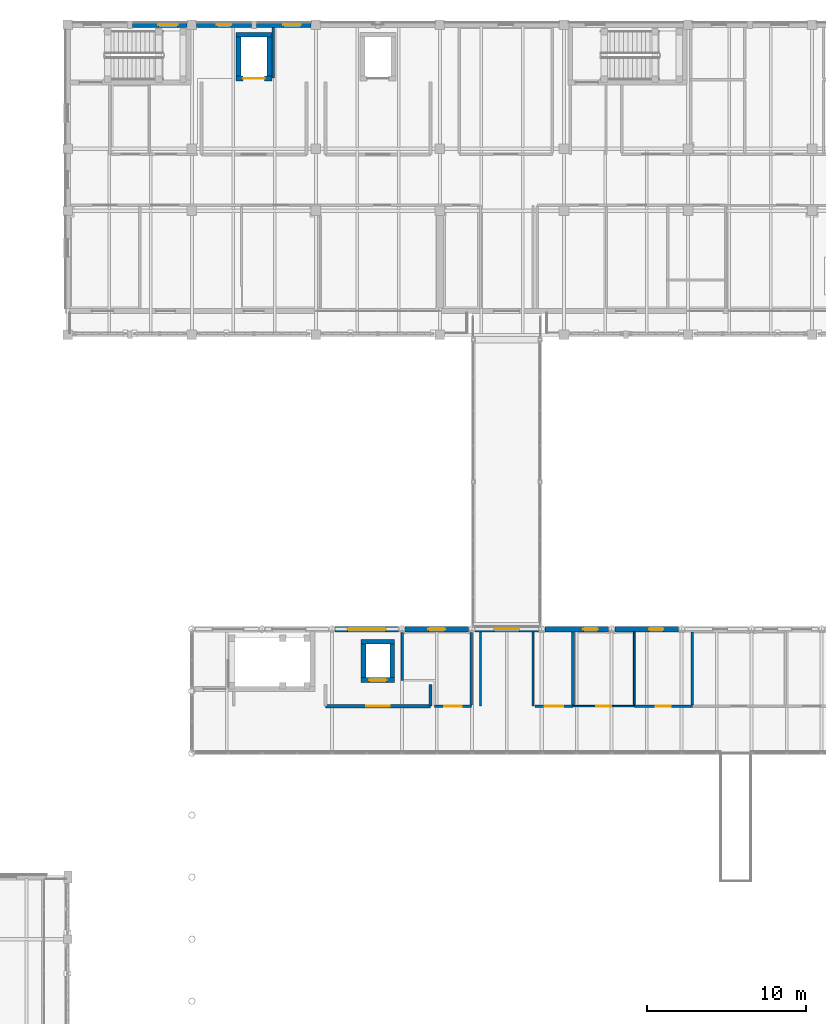
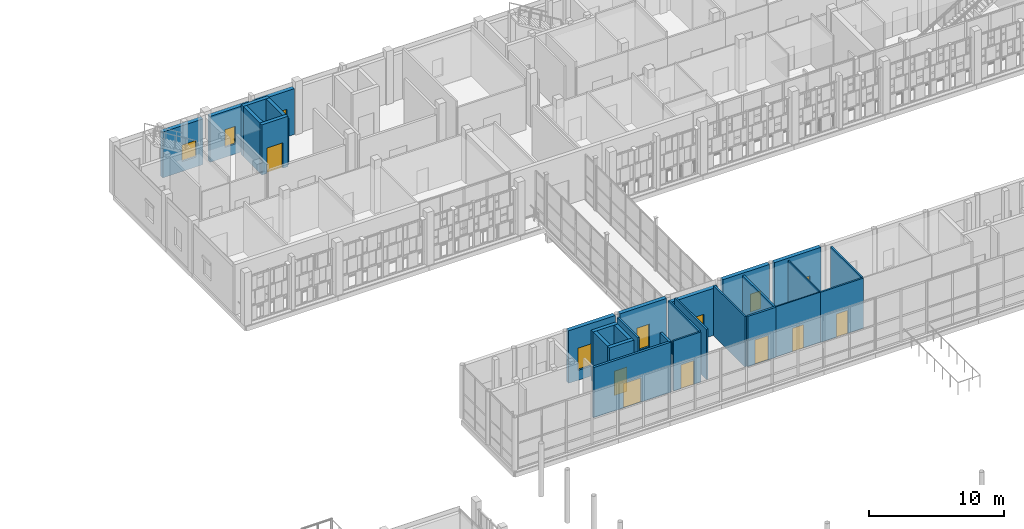
# One storey, part 107 of 138: 30 walls, 8 doors, 7 windows, 15 openings.
"""IFC4 building model written with IfcOpenShell, lengths in metres."""

from ifc_helpers import new_model, si_unit, direction, frame, frame_2d, origin, place, context, subcontext, project, spatial, rectangle, extrude, material, layer, layer_set, type_object, element, fill, save


model = new_model("IFC4")

# Units and contexts
model_context = context("Model", 3, precision=1e-05, world=origin(), true_north=direction((0.0, 1.0)))
body_context = subcontext(model_context, "Body", "Model", "MODEL_VIEW")
ifc_project = project(units=[si_unit("LENGTHUNIT", "METRE"), si_unit("AREAUNIT", "SQUARE_METRE"), si_unit("VOLUMEUNIT", "CUBIC_METRE"), si_unit("PLANEANGLEUNIT", "RADIAN"), si_unit("MASSUNIT", "GRAM", prefix="KILO")], contexts=[model_context])

# Site, building, storey
site_placement = place(None, origin())
site = spatial("IfcSite", under=ifc_project, at=site_placement, CompositionType="ELEMENT")
building_placement = place(site_placement, origin())
building = spatial("IfcBuilding", under=site, at=building_placement, Name="Celorna Specialist Clinic", CompositionType="ELEMENT")
storey_placement = place(building_placement, frame((0.0, 0.0, 4.800048828125)))
storey = spatial("IfcBuildingStorey", under=building, at=storey_placement, Name="L01", CompositionType="ELEMENT", Elevation=4.800048828125)

# Wall, opening, window
ifc_material_1 = material(Name="Pero Pinheiro Lioz limestone insulated masonry", Category="masonry")
ifc_layer_1 = layer(ifc_material_1, 0.340087890625, Name="Pero Pinheiro Lioz limestone insulated masonry")
ifc_layer_set_1 = layer_set([ifc_layer_1], Name="Pero Pinheiro Lioz limestone insulated masonry")
wall_type_1 = type_object("IfcWallType", Name="WT-07", PredefinedType="STANDARD", material=ifc_layer_set_1)
wall_1_placement = place(storey_placement, frame((63.603271484375, 78.0, 0.0), z_axis=(0.0, 0.0, 1.0), x_axis=(1.0, 0.0, 0.0)))
wall_1 = element("IfcWall", 1, at=wall_1_placement, inside=storey, type_object=wall_type_1, Name="External facade wall WT-07 #93", PredefinedType="STANDARD", context=body_context, shape_type="SweptSolid", body=[
    extrude(rectangle(XDim=3.993408203125, YDim=0.340087890625, at=frame_2d((1.99658203125, 0.0))), origin(), (0.0, 0.0, 1.0), 4.75),
])
opening_1_placement = place(wall_1_placement, frame((0.796875, 0.0, 0.89990234375)))
opening_1 = element("IfcOpeningElement", 2, at=opening_1_placement, cuts=wall_1, Name="Opening WN-19", PredefinedType="OPENING", context=body_context, shape_type="SweptSolid", body=[
    extrude(rectangle(XDim=2.39990234375, YDim=2.0, at=frame_2d((1.199951171875, 1.0))), frame((0.0, 0.179931640625, 0.0), z_axis=(0.0, -1.0, 0.0), x_axis=(1.0, 0.0, 0.0)), (0.0, 0.0, 1.0), 0.360107421875),
])
ifc_material_2 = material(Name="Rehabilitation gym daylight window")
window_type_1 = type_object("IfcWindowType", Name="WN-19", PartitioningType="SINGLE_PANEL", PredefinedType="WINDOW", material=ifc_material_2)
window_1_placement = place(opening_1_placement, origin())
window_1 = element("IfcWindow", 3, at=window_1_placement, inside=storey, type_object=window_type_1, Name="Facade window WN-19 #11", OverallHeight=2.0, OverallWidth=2.39990234375, PartitioningType="SINGLE_PANEL", PredefinedType="WINDOW", context=body_context, shape_type="SweptSolid", body=[
    extrude(rectangle(XDim=2.39990234375, YDim=2.0, at=frame_2d((1.199951171875, 1.0))), frame((0.0, 0.030029296875, 0.0), z_axis=(0.0, -1.0, 0.0), x_axis=(1.0, 0.0, 0.0)), (0.0, 0.0, 1.0), 0.06005859375),
])
fill(opening_1, window_1)

wall_2_placement = place(storey_placement, frame((68.003173828125, 78.0, 0.0), z_axis=(0.0, 0.0, 1.0), x_axis=(1.0, 0.0, 0.0)))
wall_2 = element("IfcWall", 4, at=wall_2_placement, inside=storey, type_object=wall_type_1, Name="External facade wall WT-07 #94", PredefinedType="STANDARD", context=body_context, shape_type="SweptSolid", body=[
    extrude(rectangle(XDim=3.99365234375, YDim=0.340087890625, at=frame_2d((1.996826171875, 0.0))), origin(), (0.0, 0.0, 1.0), 4.75),
])
opening_2_placement = place(wall_2_placement, frame((1.4716796875, 0.0, 0.89990234375)))
opening_2 = element("IfcOpeningElement", 5, at=opening_2_placement, cuts=wall_2, Name="Opening WN-22", PredefinedType="OPENING", context=body_context, shape_type="SweptSolid", body=[
    extrude(rectangle(XDim=1.050048828125, YDim=2.050048828125, at=frame_2d((0.52490234375, 1.02490234375))), frame((0.0, 0.179931640625, 0.0), z_axis=(0.0, -1.0, 0.0), x_axis=(1.0, 0.0, 0.0)), (0.0, 0.0, 1.0), 0.360107421875),
])
ifc_material_3 = material(Name="Thermally broken aluminium triple-glazed window", Category="aluminium")
window_type_2 = type_object("IfcWindowType", Name="WN-22", PartitioningType="SINGLE_PANEL", PredefinedType="WINDOW", material=ifc_material_3)
window_2_placement = place(opening_2_placement, origin())
window_2 = element("IfcWindow", 6, at=window_2_placement, inside=storey, type_object=window_type_2, Name="Facade window WN-22 #12", OverallHeight=2.050048828125, OverallWidth=1.050048828125, PartitioningType="SINGLE_PANEL", PredefinedType="WINDOW", context=body_context, shape_type="SweptSolid", body=[
    extrude(rectangle(XDim=1.050048828125, YDim=2.050048828125, at=frame_2d((0.52490234375, 1.02490234375))), frame((0.0, 0.030029296875, 0.0), z_axis=(0.0, -1.0, 0.0), x_axis=(1.0, 0.0, 0.0)), (0.0, 0.0, 1.0), 0.06005859375),
])
fill(opening_2, window_2)

# Wall, opening, door
wall_3_placement = place(storey_placement, frame((72.4033203125, 78.0, 0.0), z_axis=(0.0, 0.0, 1.0), x_axis=(1.0, 0.0, 0.0)))
wall_3 = element("IfcWall", 7, at=wall_3_placement, inside=storey, type_object=wall_type_1, Name="External facade wall WT-07 #95", PredefinedType="STANDARD", context=body_context, shape_type="SweptSolid", body=[
    extrude(rectangle(XDim=3.993408203125, YDim=0.340087890625, at=frame_2d((1.99658203125, 0.0))), origin(), (0.0, 0.0, 1.0), 4.260009765625),
])
opening_3_placement = place(wall_3_placement, frame((1.19677734375, 0.0, 0.0)))
opening_3 = element("IfcOpeningElement", 8, at=opening_3_placement, cuts=wall_3, Name="Opening DR-12", PredefinedType="OPENING", context=body_context, shape_type="SweptSolid", body=[
    extrude(rectangle(XDim=1.60009765625, YDim=2.199951171875, at=frame_2d((0.800048828125, 1.10009765625))), frame((0.0, 0.179931640625, 0.0), z_axis=(0.0, -1.0, 0.0), x_axis=(1.0, 0.0, 0.0)), (0.0, 0.0, 1.0), 0.360107421875),
])
ifc_material_4 = material(Name="Corridor cross-compartment pair door")
door_type_1 = type_object("IfcDoorType", Name="DR-12", OperationType="DOUBLE_DOOR_SINGLE_SWING", PredefinedType="DOOR", material=ifc_material_4)
door_1_placement = place(opening_3_placement, origin())
door_1 = element("IfcDoor", 9, at=door_1_placement, inside=storey, type_object=door_type_1, Name="Bridge BR-04 south/west portal door L01", OperationType="DOUBLE_DOOR_SINGLE_SWING", OverallHeight=2.199951171875, OverallWidth=1.60009765625, PredefinedType="DOOR", context=body_context, shape_type="SweptSolid", body=[
    extrude(rectangle(XDim=1.60009765625, YDim=2.199951171875, at=frame_2d((0.800048828125, 1.10009765625))), frame((0.0, 0.02490234375, 0.0), z_axis=(0.0, -1.0, 0.0), x_axis=(1.0, 0.0, 0.0)), (0.0, 0.0, 1.0), 0.050048828125),
])
fill(opening_3, door_1)

# Wall, opening, window
wall_4_placement = place(storey_placement, frame((76.80322265625, 78.0, 0.0), z_axis=(0.0, 0.0, 1.0), x_axis=(1.0, 0.0, 0.0)))
wall_4 = element("IfcWall", 10, at=wall_4_placement, inside=storey, type_object=wall_type_1, Name="External facade wall WT-07 #96", PredefinedType="STANDARD", context=body_context, shape_type="SweptSolid", body=[
    extrude(rectangle(XDim=3.99365234375, YDim=0.340087890625, at=frame_2d((1.996826171875, 0.0))), origin(), (0.0, 0.0, 1.0), 4.75),
])
opening_4_placement = place(wall_4_placement, frame((2.420166015625, 0.0, 0.89990234375)))
opening_4 = element("IfcOpeningElement", 11, at=opening_4_placement, cuts=wall_4, Name="Opening WN-01", PredefinedType="OPENING", context=body_context, shape_type="SweptSolid", body=[
    extrude(rectangle(XDim=0.89990234375, YDim=1.60009765625, at=frame_2d((0.449951171875, 0.800048828125))), frame((0.0, 0.179931640625, 0.0), z_axis=(0.0, -1.0, 0.0), x_axis=(1.0, 0.0, 0.0)), (0.0, 0.0, 1.0), 0.360107421875),
])
window_type_3 = type_object("IfcWindowType", Name="WN-01", PartitioningType="SINGLE_PANEL", PredefinedType="WINDOW", material=ifc_material_3)
window_3_placement = place(opening_4_placement, origin())
window_3 = element("IfcWindow", 12, at=window_3_placement, inside=storey, type_object=window_type_3, Name="Facade window WN-01 #13", OverallHeight=1.60009765625, OverallWidth=0.89990234375, PartitioningType="SINGLE_PANEL", PredefinedType="WINDOW", context=body_context, shape_type="SweptSolid", body=[
    extrude(rectangle(XDim=0.89990234375, YDim=1.60009765625, at=frame_2d((0.449951171875, 0.800048828125))), frame((0.0, 0.030029296875, 0.0), z_axis=(0.0, -1.0, 0.0), x_axis=(1.0, 0.0, 0.0)), (0.0, 0.0, 1.0), 0.06005859375),
])
fill(opening_4, window_3)

wall_5_placement = place(storey_placement, frame((81.203125, 78.0, 0.0), z_axis=(0.0, 0.0, 1.0), x_axis=(1.0, 0.0, 0.0)))
wall_5 = element("IfcWall", 13, at=wall_5_placement, inside=storey, type_object=wall_type_1, Name="External facade wall WT-07 #97", PredefinedType="STANDARD", context=body_context, shape_type="SweptSolid", body=[
    extrude(rectangle(XDim=3.99365234375, YDim=0.340087890625, at=frame_2d((1.996826171875, 0.0))), origin(), (0.0, 0.0, 1.0), 4.75),
])
opening_5_placement = place(wall_5_placement, frame((2.145263671875, 0.0, 0.89990234375)))
opening_5 = element("IfcOpeningElement", 14, at=opening_5_placement, cuts=wall_5, Name="Opening WN-01", PredefinedType="OPENING", context=body_context, shape_type="SweptSolid", body=[
    extrude(rectangle(XDim=0.89990234375, YDim=1.60009765625, at=frame_2d((0.449951171875, 0.800048828125))), frame((0.0, 0.179931640625, 0.0), z_axis=(0.0, -1.0, 0.0), x_axis=(1.0, 0.0, 0.0)), (0.0, 0.0, 1.0), 0.360107421875),
])
window_4_placement = place(opening_5_placement, origin())
window_4 = element("IfcWindow", 15, at=window_4_placement, inside=storey, type_object=window_type_3, Name="Facade window WN-01 #14", OverallHeight=1.60009765625, OverallWidth=0.89990234375, PartitioningType="SINGLE_PANEL", PredefinedType="WINDOW", context=body_context, shape_type="SweptSolid", body=[
    extrude(rectangle(XDim=0.89990234375, YDim=1.60009765625, at=frame_2d((0.449951171875, 0.800048828125))), frame((0.0, 0.030029296875, 0.0), z_axis=(0.0, -1.0, 0.0), x_axis=(1.0, 0.0, 0.0)), (0.0, 0.0, 1.0), 0.06005859375),
])
fill(opening_5, window_4)

wall_6_placement = place(storey_placement, frame((50.85009765625, 116.0, 0.0), z_axis=(0.0, 0.0, 1.0), x_axis=(1.0, 0.0, 0.0)))
wall_6 = element("IfcWall", 16, at=wall_6_placement, inside=storey, type_object=wall_type_1, Name="External facade wall WT-07 #203", PredefinedType="STANDARD", context=body_context, shape_type="SweptSolid", body=[
    extrude(rectangle(XDim=3.449951171875, YDim=0.340087890625, at=frame_2d((1.72509765625, 0.0))), origin(), (0.0, 0.0, 1.0), 4.139892578125),
])
opening_6_placement = place(wall_6_placement, frame((1.64990234375, 0.0, 0.89990234375)))
opening_6 = element("IfcOpeningElement", 17, at=opening_6_placement, cuts=wall_6, Name="Opening WN-04", PredefinedType="OPENING", context=body_context, shape_type="SweptSolid", body=[
    extrude(rectangle(XDim=1.199951171875, YDim=1.5, at=frame_2d((0.60009765625, 0.75))), frame((0.0, 0.179931640625, 0.0), z_axis=(0.0, -1.0, 0.0), x_axis=(1.0, 0.0, 0.0)), (0.0, 0.0, 1.0), 0.360107421875),
])
window_type_4 = type_object("IfcWindowType", Name="WN-04", PartitioningType="SINGLE_PANEL", PredefinedType="WINDOW", material=ifc_material_3)
window_5_placement = place(opening_6_placement, origin())
window_5 = element("IfcWindow", 18, at=window_5_placement, inside=storey, type_object=window_type_4, Name="Facade window WN-04 #85", OverallHeight=1.5, OverallWidth=1.199951171875, PartitioningType="SINGLE_PANEL", PredefinedType="WINDOW", context=body_context, shape_type="SweptSolid", body=[
    extrude(rectangle(XDim=1.199951171875, YDim=1.5, at=frame_2d((0.60009765625, 0.75))), frame((0.0, 0.030029296875, 0.0), z_axis=(0.0, -1.0, 0.0), x_axis=(1.0, 0.0, 0.0)), (0.0, 0.0, 1.0), 0.06005859375),
])
fill(opening_6, window_5)

wall_7_placement = place(storey_placement, frame((54.89990234375, 116.0, 0.0), z_axis=(0.0, 0.0, 1.0), x_axis=(1.0, 0.0, 0.0)))
wall_7 = element("IfcWall", 19, at=wall_7_placement, inside=storey, type_object=wall_type_1, Name="External facade wall WT-07 #204", PredefinedType="STANDARD", context=body_context, shape_type="SweptSolid", body=[
    extrude(rectangle(XDim=3.4501953125, YDim=0.340087890625, at=frame_2d((1.72509765625, 0.0))), origin(), (0.0, 0.0, 1.0), 4.139892578125),
])
opening_7_placement = place(wall_7_placement, frame((1.27490234375, 0.0, 0.89990234375)))
opening_7 = element("IfcOpeningElement", 20, at=opening_7_placement, cuts=wall_7, Name="Opening WN-01", PredefinedType="OPENING", context=body_context, shape_type="SweptSolid", body=[
    extrude(rectangle(XDim=0.89990234375, YDim=1.60009765625, at=frame_2d((0.449951171875, 0.800048828125))), frame((0.0, 0.179931640625, 0.0), z_axis=(0.0, -1.0, 0.0), x_axis=(1.0, 0.0, 0.0)), (0.0, 0.0, 1.0), 0.360107421875),
])
window_6_placement = place(opening_7_placement, origin())
window_6 = element("IfcWindow", 21, at=window_6_placement, inside=storey, type_object=window_type_3, Name="Facade window WN-01 #86", OverallHeight=1.60009765625, OverallWidth=0.89990234375, PartitioningType="SINGLE_PANEL", PredefinedType="WINDOW", context=body_context, shape_type="SweptSolid", body=[
    extrude(rectangle(XDim=0.89990234375, YDim=1.60009765625, at=frame_2d((0.449951171875, 0.800048828125))), frame((0.0, 0.030029296875, 0.0), z_axis=(0.0, -1.0, 0.0), x_axis=(1.0, 0.0, 0.0)), (0.0, 0.0, 1.0), 0.06005859375),
])
fill(opening_7, window_6)

wall_8_placement = place(storey_placement, frame((58.64990234375, 116.0, 0.0), z_axis=(0.0, 0.0, 1.0), x_axis=(1.0, 0.0, 0.0)))
wall_8 = element("IfcWall", 22, at=wall_8_placement, inside=storey, type_object=wall_type_1, Name="External facade wall WT-07 #205", PredefinedType="STANDARD", context=body_context, shape_type="SweptSolid", body=[
    extrude(rectangle(XDim=3.4501953125, YDim=0.340087890625, at=frame_2d((1.72509765625, 0.0))), origin(), (0.0, 0.0, 1.0), 4.139892578125),
])
opening_8_placement = place(wall_8_placement, frame((1.699951171875, 0.0, 0.89990234375)))
opening_8 = element("IfcOpeningElement", 23, at=opening_8_placement, cuts=wall_8, Name="Opening WN-03", PredefinedType="OPENING", context=body_context, shape_type="SweptSolid", body=[
    extrude(rectangle(XDim=1.10009765625, YDim=1.60009765625, at=frame_2d((0.550048828125, 0.800048828125))), frame((0.0, 0.179931640625, 0.0), z_axis=(0.0, -1.0, 0.0), x_axis=(1.0, 0.0, 0.0)), (0.0, 0.0, 1.0), 0.360107421875),
])
window_type_5 = type_object("IfcWindowType", Name="WN-03", PartitioningType="SINGLE_PANEL", PredefinedType="WINDOW", material=ifc_material_3)
window_7_placement = place(opening_8_placement, origin())
window_7 = element("IfcWindow", 24, at=window_7_placement, inside=storey, type_object=window_type_5, Name="Facade window WN-03 #87", OverallHeight=1.60009765625, OverallWidth=1.10009765625, PartitioningType="SINGLE_PANEL", PredefinedType="WINDOW", context=body_context, shape_type="SweptSolid", body=[
    extrude(rectangle(XDim=1.10009765625, YDim=1.60009765625, at=frame_2d((0.550048828125, 0.800048828125))), frame((0.0, 0.030029296875, 0.0), z_axis=(0.0, -1.0, 0.0), x_axis=(1.0, 0.0, 0.0)), (0.0, 0.0, 1.0), 0.06005859375),
])
fill(opening_8, window_7)

# Wall, opening, door
ifc_material_5 = material(Name="Concrete C35/45", Category="concrete")
ifc_layer_2 = layer(ifc_material_5, 0.300048828125, Name="Concrete C35/45")
ifc_layer_set_2 = layer_set([ifc_layer_2], Name="Concrete C35/45")
wall_type_2 = type_object("IfcWallType", Name="WT-08", PredefinedType="SHEAR", material=ifc_layer_set_2)
wall_9_placement = place(storey_placement, frame((57.375, 112.625, 0.0), z_axis=(0.0, 0.0, 1.0), x_axis=(1.0, 0.0, 0.0)))
wall_9 = element("IfcWall", 25, at=wall_9_placement, inside=storey, type_object=wall_type_2, Name="Lift LF-01 RC shaft wall L01", PredefinedType="SHEAR", context=body_context, shape_type="SweptSolid", body=[
    extrude(rectangle(XDim=2.25, YDim=0.300048828125, at=frame_2d((1.125, 0.0))), origin(), (0.0, 0.0, 1.0), 4.5400390625),
])
opening_9_placement = place(wall_9_placement, frame((0.449951171875, 0.0, 0.0)))
opening_9 = element("IfcOpeningElement", 26, at=opening_9_placement, cuts=wall_9, Name="Opening LD-02", PredefinedType="OPENING", context=body_context, shape_type="SweptSolid", body=[
    extrude(rectangle(XDim=1.35009765625, YDim=2.300048828125, at=frame_2d((0.675048828125, 1.14990234375))), frame((0.0, 0.159912109375, 0.0), z_axis=(0.0, -1.0, 0.0), x_axis=(1.0, 0.0, 0.0)), (0.0, 0.0, 1.0), 0.320068359375),
])
ifc_material_6 = material(Name="Firefighting stretcher lift landing sliding door")
door_type_2 = type_object("IfcDoorType", Name="LD-02", OperationType="DOUBLE_DOOR_SLIDING", PredefinedType="DOOR", material=ifc_material_6)
door_2_placement = place(opening_9_placement, origin())
door_2 = element("IfcDoor", 27, at=door_2_placement, inside=storey, type_object=door_type_2, Name="Lift LF-01 sliding landing door L01", OperationType="DOUBLE_DOOR_SLIDING", OverallHeight=2.300048828125, OverallWidth=1.35009765625, PredefinedType="DOOR", context=body_context, shape_type="SweptSolid", body=[
    extrude(rectangle(XDim=1.35009765625, YDim=2.300048828125, at=frame_2d((0.675048828125, 1.14990234375))), frame((0.0, 0.02490234375, 0.0), z_axis=(0.0, -1.0, 0.0), x_axis=(1.0, 0.0, 0.0)), (0.0, 0.0, 1.0), 0.050048828125),
])
fill(opening_9, door_2)

# Walls
wall_10_placement = place(storey_placement, frame((59.625, 115.375, 0.0), z_axis=(0.0, 0.0, 1.0), x_axis=(-1.0, 0.0, 0.0)))
element("IfcWall", 28, at=wall_10_placement, inside=storey, type_object=wall_type_2, Name="Lift LF-01 RC shaft wall L01", PredefinedType="SHEAR", context=body_context, shape_type="SweptSolid", body=[
    extrude(rectangle(XDim=2.25, YDim=0.300048828125, at=frame_2d((1.125, 0.0))), origin(), (0.0, 0.0, 1.0), 4.5400390625),
])
for number, where, z_axis, x_axis, name in (
    (29, (57.52490234375, 115.22509765625, 0.0), (0.0, 0.0, 1.0), (0.0, -1.0, 0.0), "Lift LF-01 RC shaft wall L01"),
    (30, (59.47509765625, 112.77490234375, 0.0), (0.0, 0.0, 1.0), (0.0, 1.0, 0.0), "Lift LF-01 RC shaft wall L01"),
):
    element("IfcWall", number, at=place(storey_placement, frame(where, z_axis=z_axis, x_axis=x_axis)), inside=storey, type_object=wall_type_2, Name=name, PredefinedType="SHEAR", context=body_context, shape_type="SweptSolid", body=[
        extrude(rectangle(XDim=2.4501953125, YDim=0.300048828125, at=frame_2d((1.22509765625, 0.0))), origin(), (0.0, 0.0, 1.0), 4.5400390625),
    ])

# Wall, opening, door
wall_11_placement = place(storey_placement, frame((65.25, 74.800048828125, 0.0), z_axis=(0.0, 0.0, 1.0), x_axis=(1.0, 0.0, 0.0)))
wall_11 = element("IfcWall", 31, at=wall_11_placement, inside=storey, type_object=wall_type_2, Name="Lift LF-08 RC shaft wall L01", PredefinedType="SHEAR", context=body_context, shape_type="SweptSolid", body=[
    extrude(rectangle(XDim=2.10009765625, YDim=0.300048828125, at=frame_2d((1.050048828125, 0.0))), origin(), (0.0, 0.0, 1.0), 4.5400390625),
])
opening_10_placement = place(wall_11_placement, frame((0.5, 0.0, 0.0)))
opening_10 = element("IfcOpeningElement", 32, at=opening_10_placement, cuts=wall_11, Name="Opening LD-01", PredefinedType="OPENING", context=body_context, shape_type="SweptSolid", body=[
    extrude(rectangle(XDim=1.10009765625, YDim=2.199951171875, at=frame_2d((0.550048828125, 1.10009765625))), frame((0.0, 0.159912109375, 0.0), z_axis=(0.0, -1.0, 0.0), x_axis=(1.0, 0.0, 0.0)), (0.0, 0.0, 1.0), 0.320068359375),
])
ifc_material_7 = material(Name="Stainless steel lift landing sliding door", Category="steel")
door_type_3 = type_object("IfcDoorType", Name="LD-01", OperationType="DOUBLE_DOOR_SLIDING", PredefinedType="DOOR", material=ifc_material_7)
door_3_placement = place(opening_10_placement, origin())
door_3 = element("IfcDoor", 33, at=door_3_placement, inside=storey, type_object=door_type_3, Name="Lift LF-08 sliding landing door L01", OperationType="DOUBLE_DOOR_SLIDING", OverallHeight=2.199951171875, OverallWidth=1.10009765625, PredefinedType="DOOR", context=body_context, shape_type="SweptSolid", body=[
    extrude(rectangle(XDim=1.10009765625, YDim=2.199951171875, at=frame_2d((0.550048828125, 1.10009765625))), frame((0.0, 0.02490234375, 0.0), z_axis=(0.0, -1.0, 0.0), x_axis=(1.0, 0.0, 0.0)), (0.0, 0.0, 1.0), 0.050048828125),
])
fill(opening_10, door_3)

# Walls
for number, where, z_axis, x_axis, name in (
    (34, (67.35009765625, 77.199951171875, 0.0), (0.0, 0.0, 1.0), (-1.0, 0.0, 0.0), "Lift LF-08 RC shaft wall L01"),
    (35, (65.39990234375, 77.050048828125, 0.0), (0.0, 0.0, 1.0), (0.0, -1.0, 0.0), "Lift LF-08 RC shaft wall L01"),
    (36, (67.199951171875, 74.949951171875, 0.0), (0.0, 0.0, 1.0), (0.0, 1.0, 0.0), "Lift LF-08 RC shaft wall L01"),
):
    element("IfcWall", number, at=place(storey_placement, frame(where, z_axis=z_axis, x_axis=x_axis)), inside=storey, type_object=wall_type_2, Name=name, PredefinedType="SHEAR", context=body_context, shape_type="SweptSolid", body=[
        extrude(rectangle(XDim=2.10009765625, YDim=0.300048828125, at=frame_2d((1.050048828125, 0.0))), origin(), (0.0, 0.0, 1.0), 4.5400390625),
    ])

# Wall, opening, door
ifc_layer_3 = layer(ifc_material_5, 0.199951171875, Name="Concrete C35/45")
ifc_layer_set_3 = layer_set([ifc_layer_3], Name="Concrete C35/45")
wall_type_3 = type_object("IfcWallType", Name="WT-12", PredefinedType="SOLIDWALL", material=ifc_layer_set_3)
wall_12_placement = place(storey_placement, frame((63.0, 73.14990234375, 0.0), z_axis=(0.0, 0.0, 1.0), x_axis=(1.0, 0.0, 0.0)))
wall_12 = element("IfcWall", 37, at=wall_12_placement, inside=storey, type_object=wall_type_3, Name="Lift lobby wall LF-08 L01", PredefinedType="SOLIDWALL", context=body_context, shape_type="SweptSolid", body=[
    extrude(rectangle(XDim=6.60009765625, YDim=0.199951171875, at=frame_2d((3.300048828125, 0.0))), origin(), (0.0, 0.0, 1.0), 4.5400390625),
])
opening_11_placement = place(wall_12_placement, frame((2.550048828125, 0.0, 0.0)))
opening_11 = element("IfcOpeningElement", 38, at=opening_11_placement, cuts=wall_12, Name="Opening DR-11", PredefinedType="OPENING", context=body_context, shape_type="SweptSolid", body=[
    extrude(rectangle(XDim=1.5, YDim=2.199951171875, at=frame_2d((0.75, 1.10009765625))), frame((0.0, 0.10986328125, 0.0), z_axis=(0.0, -1.0, 0.0), x_axis=(1.0, 0.0, 0.0)), (0.0, 0.0, 1.0), 0.219970703125),
])
ifc_material_8 = material(Name="Firefighting lobby double fire door")
door_type_4 = type_object("IfcDoorType", Name="DR-11", OperationType="DOUBLE_DOOR_SINGLE_SWING", PredefinedType="DOOR", material=ifc_material_8)
door_4_placement = place(opening_11_placement, origin())
door_4 = element("IfcDoor", 39, at=door_4_placement, inside=storey, type_object=door_type_4, Name="Lift lobby fire door LF-08 L01", OperationType="DOUBLE_DOOR_SINGLE_SWING", OverallHeight=2.199951171875, OverallWidth=1.5, PredefinedType="DOOR", context=body_context, shape_type="SweptSolid", body=[
    extrude(rectangle(XDim=1.5, YDim=2.199951171875, at=frame_2d((0.75, 1.10009765625))), frame((0.0, 0.02490234375, 0.0), z_axis=(0.0, -1.0, 0.0), x_axis=(1.0, 0.0, 0.0)), (0.0, 0.0, 1.0), 0.050048828125),
])
fill(opening_11, door_4)

# Wall
wall_13_placement = place(storey_placement, frame((69.60009765625, 73.14990234375, 0.0), z_axis=(0.0, 0.0, 1.0), x_axis=(0.0, 1.0, 0.0)))
element("IfcWall", 40, at=wall_13_placement, inside=storey, type_object=wall_type_3, Name="Lift lobby wall LF-08 L01", PredefinedType="SOLIDWALL", context=body_context, shape_type="SweptSolid", body=[
    extrude(rectangle(XDim=1.35009765625, YDim=0.199951171875, at=frame_2d((0.675048828125, 0.0))), origin(), (0.0, 0.0, 1.0), 4.5400390625),
])

# Wall, opening, door
ifc_material_9 = material(Name="Acoustic masonry clinical partition", Category="masonry")
ifc_layer_4 = layer(ifc_material_9, 0.179931640625, Name="Acoustic masonry clinical partition")
ifc_layer_set_4 = layer_set([ifc_layer_4], Name="Acoustic masonry clinical partition")
wall_type_4 = type_object("IfcWallType", Name="WT-13", PredefinedType="PARTITIONING", material=ifc_layer_set_4)
wall_14_placement = place(storey_placement, frame((76.169921875, 73.14990234375, 0.0), z_axis=(0.0, 0.0, 1.0), x_axis=(1.0, 0.0, 0.0)))
wall_14 = element("IfcWall", 41, at=wall_14_placement, inside=storey, type_object=wall_type_4, Name="Interior partition WT-13 L01-017", PredefinedType="PARTITIONING", context=body_context, shape_type="SweptSolid", body=[
    extrude(rectangle(XDim=2.400146484375, YDim=0.179931640625, at=frame_2d((1.2001953125, 0.0))), origin(), (0.0, 0.0, 1.0), 4.5400390625),
])
opening_12_placement = place(wall_14_placement, frame((0.625, 0.0, 0.0)))
opening_12 = element("IfcOpeningElement", 42, at=opening_12_placement, cuts=wall_14, Name="Opening DR-07", PredefinedType="OPENING", context=body_context, shape_type="SweptSolid", body=[
    extrude(rectangle(XDim=1.14990234375, YDim=2.199951171875, at=frame_2d((0.574951171875, 1.10009765625))), frame((0.0, 0.099853515625, 0.0), z_axis=(0.0, -1.0, 0.0), x_axis=(1.0, 0.0, 0.0)), (0.0, 0.0, 1.0), 0.199951171875),
])
ifc_material_10 = material(Name="Hermetic cleanroom airlock door")
door_type_5 = type_object("IfcDoorType", Name="DR-07", OperationType="NOTDEFINED", PredefinedType="DOOR", material=ifc_material_10)
door_5_placement = place(opening_12_placement, origin())
door_5 = element("IfcDoor", 43, at=door_5_placement, inside=storey, type_object=door_type_5, Name="Isolation Infusion Suite door L01-017", OperationType="SINGLE_SWING_RIGHT", OverallHeight=2.199951171875, OverallWidth=1.14990234375, PredefinedType="DOOR", context=body_context, shape_type="SweptSolid", body=[
    extrude(rectangle(XDim=1.14990234375, YDim=2.199951171875, at=frame_2d((0.574951171875, 1.10009765625))), frame((0.0, 0.02490234375, 0.0), z_axis=(0.0, -1.0, 0.0), x_axis=(1.0, 0.0, 0.0)), (0.0, 0.0, 1.0), 0.050048828125),
])
fill(opening_12, door_5)

# Walls
wall_15_placement = place(storey_placement, frame((78.570068359375, 73.239990234375, 0.0), z_axis=(0.0, 0.0, 1.0), x_axis=(0.0, 1.0, 0.0)))
element("IfcWall", 44, at=wall_15_placement, inside=storey, type_object=wall_type_4, Name="Room dividing partition WT-13 L01-017", PredefinedType="PARTITIONING", context=body_context, shape_type="SweptSolid", body=[
    extrude(rectangle(XDim=4.590087890625, YDim=0.179931640625, at=frame_2d((2.294921875, 0.0))), origin(), (0.0, 0.0, 1.0), 4.5400390625),
])
ifc_material_11 = material(Name="Fire-rated gypsum board partition")
ifc_layer_5 = layer(ifc_material_11, 0.14990234375, Name="Fire-rated gypsum board partition")
ifc_layer_set_5 = layer_set([ifc_layer_5], Name="Fire-rated gypsum board partition")
wall_type_5 = type_object("IfcWallType", Name="WT-14", PredefinedType="PARTITIONING", material=ifc_layer_set_5)
for number, where, z_axis, x_axis, name in (
    (45, (72.75, 73.14990234375, 0.0), (0.0, 0.0, 1.0), (0.0, 1.0, 0.0), "Corridor spur partition WT-14"),
    (46, (76.050048828125, 73.14990234375, 0.0), (0.0, 0.0, 1.0), (0.0, 1.0, 0.0), "Corridor spur partition WT-14"),
):
    element("IfcWall", number, at=place(storey_placement, frame(where, z_axis=z_axis, x_axis=x_axis)), inside=storey, type_object=wall_type_5, Name=name, PredefinedType="PARTITIONING", context=body_context, shape_type="SweptSolid", body=[
        extrude(rectangle(XDim=4.68017578125, YDim=0.14990234375, at=frame_2d((2.340087890625, 0.0))), origin(), (0.0, 0.0, 1.0), 4.5400390625),
    ])

# Wall, opening, door
wall_16_placement = place(storey_placement, frame((69.85009765625, 73.14990234375, 0.0), z_axis=(0.0, 0.0, 1.0), x_axis=(1.0, 0.0, 0.0)))
wall_16 = element("IfcWall", 47, at=wall_16_placement, inside=storey, type_object=wall_type_5, Name="Interior partition WT-14 L01-016", PredefinedType="PARTITIONING", context=body_context, shape_type="SweptSolid", body=[
    extrude(rectangle(XDim=2.31982421875, YDim=0.14990234375, at=frame_2d((1.159912109375, 0.0))), origin(), (0.0, 0.0, 1.0), 4.5400390625),
])
opening_13_placement = place(wall_16_placement, frame((0.6201171875, 0.0, 0.0)))
opening_13 = element("IfcOpeningElement", 48, at=opening_13_placement, cuts=wall_16, Name="Opening DR-06", PredefinedType="OPENING", context=body_context, shape_type="SweptSolid", body=[
    extrude(rectangle(XDim=1.10009765625, YDim=2.14990234375, at=frame_2d((0.550048828125, 1.074951171875))), frame((0.0, 0.0849609375, 0.0), z_axis=(0.0, -1.0, 0.0), x_axis=(1.0, 0.0, 0.0)), (0.0, 0.0, 1.0), 0.169921875),
])
ifc_material_12 = material(Name="Clinical treatment suite door")
door_type_6 = type_object("IfcDoorType", Name="DR-06", OperationType="NOTDEFINED", PredefinedType="DOOR", material=ifc_material_12)
door_6_placement = place(opening_13_placement, origin())
door_6 = element("IfcDoor", 49, at=door_6_placement, inside=storey, type_object=door_type_6, Name="Infusion Observation Gallery door L01-016", OperationType="SINGLE_SWING_LEFT", OverallHeight=2.14990234375, OverallWidth=1.10009765625, PredefinedType="DOOR", context=body_context, shape_type="SweptSolid", body=[
    extrude(rectangle(XDim=1.10009765625, YDim=2.14990234375, at=frame_2d((0.550048828125, 1.074951171875))), frame((0.0, 0.02490234375, 0.0), z_axis=(0.0, -1.0, 0.0), x_axis=(1.0, 0.0, 0.0)), (0.0, 0.0, 1.0), 0.050048828125),
])
fill(opening_13, door_6)

wall_17_placement = place(storey_placement, frame((82.419921875, 73.14990234375, 0.0), z_axis=(0.0, 0.0, 1.0), x_axis=(1.0, 0.0, 0.0)))
wall_17 = element("IfcWall", 50, at=wall_17_placement, inside=storey, type_object=wall_type_5, Name="Interior partition WT-14 L01-019", PredefinedType="PARTITIONING", context=body_context, shape_type="SweptSolid", body=[
    extrude(rectangle(XDim=3.650146484375, YDim=0.14990234375, at=frame_2d((1.8251953125, 0.0))), origin(), (0.0, 0.0, 1.0), 4.5400390625),
])
opening_14_placement = place(wall_17_placement, frame((1.35009765625, 0.0, 0.0)))
opening_14 = element("IfcOpeningElement", 51, at=opening_14_placement, cuts=wall_17, Name="Opening DR-03", PredefinedType="OPENING", context=body_context, shape_type="SweptSolid", body=[
    extrude(rectangle(XDim=0.949951171875, YDim=2.10009765625, at=frame_2d((0.47509765625, 1.050048828125))), frame((0.0, 0.0849609375, 0.0), z_axis=(0.0, -1.0, 0.0), x_axis=(1.0, 0.0, 0.0)), (0.0, 0.0, 1.0), 0.169921875),
])
ifc_material_13 = material(Name="Moisture-resistant accessible WC door")
door_type_7 = type_object("IfcDoorType", Name="DR-03", OperationType="NOTDEFINED", PredefinedType="DOOR", material=ifc_material_13)
door_7_placement = place(opening_14_placement, origin())
door_7 = element("IfcDoor", 52, at=door_7_placement, inside=storey, type_object=door_type_7, Name="Accessible WC door L01-019", OperationType="SINGLE_SWING_RIGHT", OverallHeight=2.10009765625, OverallWidth=0.949951171875, PredefinedType="DOOR", context=body_context, shape_type="SweptSolid", body=[
    extrude(rectangle(XDim=0.949951171875, YDim=2.10009765625, at=frame_2d((0.47509765625, 1.050048828125))), frame((0.0, 0.02490234375, 0.0), z_axis=(0.0, -1.0, 0.0), x_axis=(1.0, 0.0, 0.0)), (0.0, 0.0, 1.0), 0.050048828125),
])
fill(opening_14, door_7)

# Walls
wall_18_placement = place(storey_placement, frame((67.820068359375, 74.75, 0.0), z_axis=(0.0, 0.0, 1.0), x_axis=(0.0, 1.0, 0.0)))
element("IfcWall", 53, at=wall_18_placement, inside=storey, type_object=wall_type_5, Name="Room dividing partition WT-14 L01-016", PredefinedType="PARTITIONING", context=body_context, shape_type="SweptSolid", body=[
    extrude(rectangle(XDim=3.046875, YDim=0.14990234375, at=frame_2d((1.5234375, 0.0))), origin(), (0.0, 0.0, 1.0), 4.5400390625),
])
wall_19_placement = place(storey_placement, frame((72.169921875, 73.22509765625, 0.0), z_axis=(0.0, 0.0, 1.0), x_axis=(0.0, 1.0, 0.0)))
element("IfcWall", 54, at=wall_19_placement, inside=storey, type_object=wall_type_5, Name="Room dividing partition WT-14 L01-016", PredefinedType="PARTITIONING", context=body_context, shape_type="SweptSolid", body=[
    extrude(rectangle(XDim=4.57177734375, YDim=0.14990234375, at=frame_2d((2.285888671875, 0.0))), origin(), (0.0, 0.0, 1.0), 4.5400390625),
])
wall_20_placement = place(storey_placement, frame((86.070068359375, 73.22509765625, 0.0), z_axis=(0.0, 0.0, 1.0), x_axis=(0.0, 1.0, 0.0)))
element("IfcWall", 55, at=wall_20_placement, inside=storey, type_object=wall_type_5, Name="Room dividing partition WT-14 L01-019", PredefinedType="PARTITIONING", context=body_context, shape_type="SweptSolid", body=[
    extrude(rectangle(XDim=4.60498046875, YDim=0.14990234375, at=frame_2d((2.302490234375, 0.0))), origin(), (0.0, 0.0, 1.0), 4.5400390625),
])
wall_21_placement = place(storey_placement, frame((59.719970703125, 112.64990234375, 0.0), z_axis=(0.0, 0.0, 1.0), x_axis=(0.0, 1.0, 0.0)))
element("IfcWall", 56, at=wall_21_placement, inside=storey, type_object=wall_type_5, Name="Room dividing partition WT-14 L01-075", PredefinedType="PARTITIONING", context=body_context, shape_type="SweptSolid", body=[
    extrude(rectangle(XDim=3.18017578125, YDim=0.14990234375, at=frame_2d((1.590087890625, 0.0))), origin(), (0.0, 0.0, 1.0), 4.2099609375),
])

# Wall, opening, door
ifc_material_14 = material(Name="Moisture-resistant gypsum partition")
ifc_layer_6 = layer(ifc_material_14, 0.10009765625, Name="Moisture-resistant gypsum partition")
ifc_layer_set_6 = layer_set([ifc_layer_6], Name="Moisture-resistant gypsum partition")
wall_type_6 = type_object("IfcWallType", Name="WT-16", PredefinedType="PARTITIONING", material=ifc_layer_set_6)
wall_22_placement = place(storey_placement, frame((78.570068359375, 73.14990234375, 0.0), z_axis=(0.0, 0.0, 1.0), x_axis=(1.0, 0.0, 0.0)))
wall_22 = element("IfcWall", 57, at=wall_22_placement, inside=storey, type_object=wall_type_6, Name="Interior partition WT-16 L01-018", PredefinedType="PARTITIONING", context=body_context, shape_type="SweptSolid", body=[
    extrude(rectangle(XDim=3.849853515625, YDim=0.10009765625, at=frame_2d((1.9248046875, 0.0))), origin(), (0.0, 0.0, 1.0), 4.5400390625),
])
opening_15_placement = place(wall_22_placement, frame((1.449951171875, 0.0, 0.0)))
opening_15 = element("IfcOpeningElement", 58, at=opening_15_placement, cuts=wall_22, Name="Opening DR-03", PredefinedType="OPENING", context=body_context, shape_type="SweptSolid", body=[
    extrude(rectangle(XDim=0.949951171875, YDim=2.10009765625, at=frame_2d((0.47509765625, 1.050048828125))), frame((0.0, 0.06005859375, 0.0), z_axis=(0.0, -1.0, 0.0), x_axis=(1.0, 0.0, 0.0)), (0.0, 0.0, 1.0), 0.1201171875),
])
door_8_placement = place(opening_15_placement, origin())
door_8 = element("IfcDoor", 59, at=door_8_placement, inside=storey, type_object=door_type_7, Name="Isolation En-Suite WC door L01-018", OperationType="SINGLE_SWING_LEFT", OverallHeight=2.10009765625, OverallWidth=0.949951171875, PredefinedType="DOOR", context=body_context, shape_type="SweptSolid", body=[
    extrude(rectangle(XDim=0.949951171875, YDim=2.10009765625, at=frame_2d((0.47509765625, 1.050048828125))), frame((0.0, 0.02490234375, 0.0), z_axis=(0.0, -1.0, 0.0), x_axis=(1.0, 0.0, 0.0)), (0.0, 0.0, 1.0), 0.050048828125),
])
fill(opening_15, door_8)

# Wall
wall_23_placement = place(storey_placement, frame((82.419921875, 73.22509765625, 0.0), z_axis=(0.0, 0.0, 1.0), x_axis=(0.0, 1.0, 0.0)))
element("IfcWall", 60, at=wall_23_placement, inside=storey, type_object=wall_type_6, Name="Room dividing partition WT-16 L01-018", PredefinedType="PARTITIONING", context=body_context, shape_type="SweptSolid", body=[
    extrude(rectangle(XDim=4.60498046875, YDim=0.10009765625, at=frame_2d((2.302490234375, 0.0))), origin(), (0.0, 0.0, 1.0), 4.5400390625),
])

save(model, "model.ifc")
